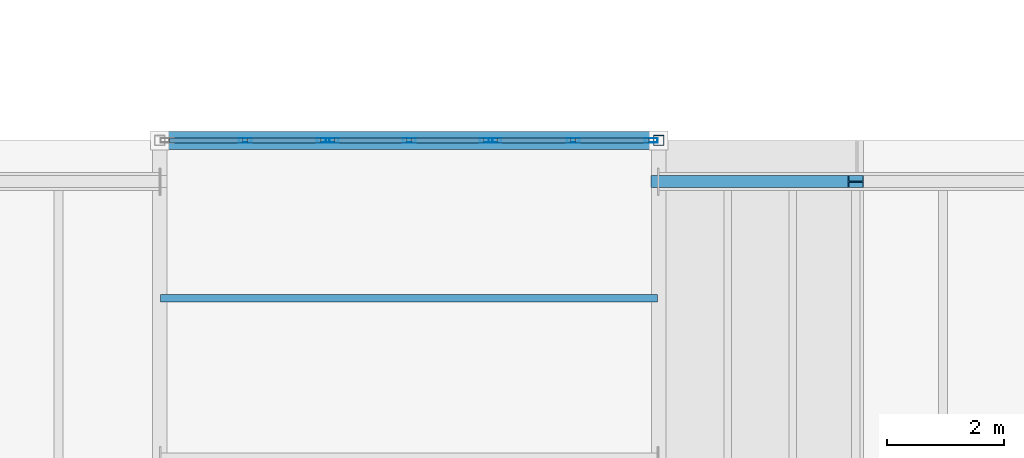
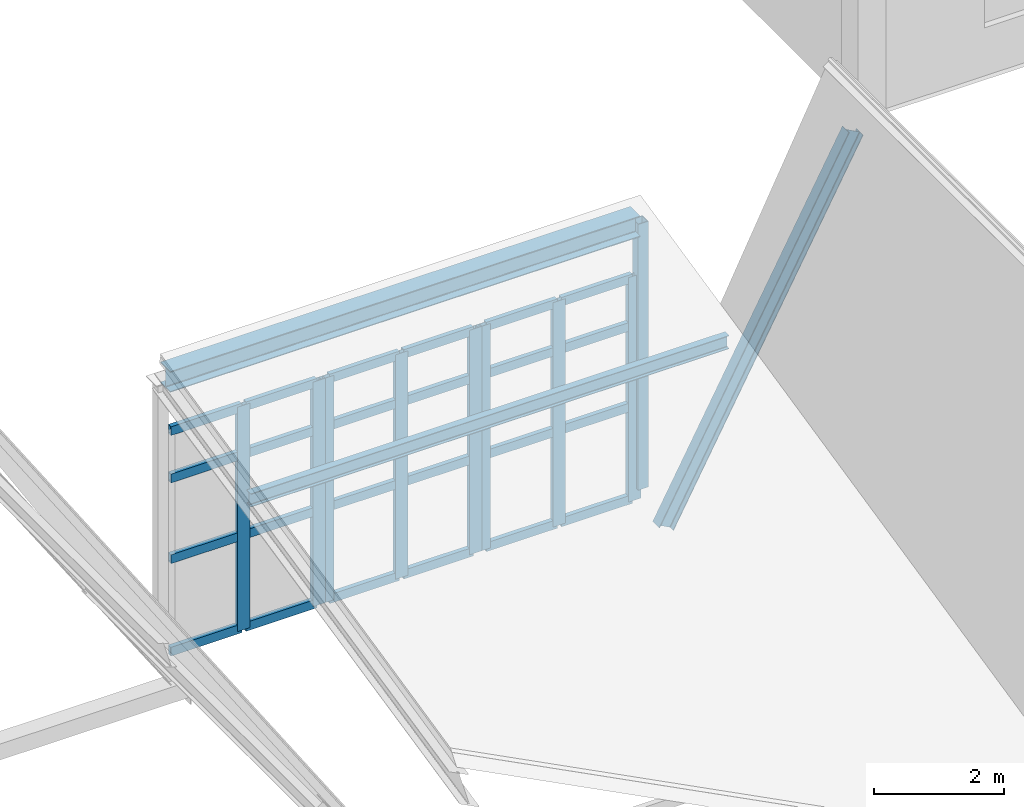
# One storey, part 25 of 77: 35 members, 1 beam, 3 elements without a shape of their own.
"""IFC4 building model written with IfcOpenShell, lengths in metres."""

import ifcopenshell
import ifcopenshell.guid

model = None  # the IFC model being written
_history = None  # IfcOwnerHistory: only IFC2X3 demands one
_inside = {}  # id of a spatial element -> (the spatial element, [elements in it])
_under = {}  # id of a project, library or spatial element -> (it, [spatial elements below it])
_declared = {}  # id of a project -> (the project, [libraries it declares])
_typed = {}  # id of a type object -> (the type object, [elements of that type])
_made_of = {}  # id of a material, layer set ... -> (it, [elements and type objects made of it])


def new_model(schema):
    """Start an empty IFC model of exactly this schema.

    Asked for "IFC4X3", IfcOpenShell would pick the latest addendum, in which some entities
    have other attributes; the version numbers below select the first issue.
    IFC2X3 requires an IfcOwnerHistory on every rooted entity: one is made here for all.
    """
    global model, _history
    if schema == "IFC4X3":
        model = ifcopenshell.file(schema_version=(4, 3, 0, 0))
    else:
        model = ifcopenshell.file(schema=schema)
    _inside.clear()
    _under.clear()
    _declared.clear()
    _typed.clear()
    _made_of.clear()
    _history = None
    if model.schema == "IFC2X3":
        org = make("IfcOrganization", Name="unknown")
        user = make(
            "IfcPersonAndOrganization",
            ThePerson=make("IfcPerson", FamilyName="unknown"),
            TheOrganization=org,
        )
        app = make(
            "IfcApplication",
            ApplicationDeveloper=org,
            Version="unknown",
            ApplicationFullName="unknown",
            ApplicationIdentifier="unknown",
        )
        _history = make(
            "IfcOwnerHistory",
            OwningUser=user,
            OwningApplication=app,
            ChangeAction="ADDED",
            CreationDate=0,
        )
    return model


def make(cls, **values):
    """One entity of the class cls with the attributes given. An attribute that is None is left unset."""
    return model.create_entity(
        cls, **{name: value for name, value in values.items() if value is not None}
    )


def rooted(cls, **values):
    """An entity with a GlobalId (a new one), such as an element, a storey or a relation."""
    return make(cls, GlobalId=ifcopenshell.guid.new(), OwnerHistory=_history, **values)


def si_unit(unit_type, name, prefix=None):
    """IfcSIUnit, for example si_unit("LENGTHUNIT", "METRE", prefix="MILLI")."""
    return make("IfcSIUnit", UnitType=unit_type, Prefix=prefix, Name=name)


def assignment(units):
    """IfcUnitAssignment: the units of a project."""
    return None if units is None else make("IfcUnitAssignment", Units=units)


def point(xyz):
    """IfcCartesianPoint."""
    return None if xyz is None else make("IfcCartesianPoint", Coordinates=xyz)


def direction(xyz):
    """IfcDirection."""
    return None if xyz is None else make("IfcDirection", DirectionRatios=xyz)


def frame(location, z_axis=None, x_axis=None):
    """IfcAxis2Placement3D, a coordinate frame: its origin and axes. An axis left out is left unset."""
    return make(
        "IfcAxis2Placement3D",
        Location=point(location),
        Axis=direction(z_axis),
        RefDirection=direction(x_axis),
    )


def frame_2d(location, x_axis=None):
    """IfcAxis2Placement2D, a coordinate frame in the plane: its origin and x axis."""
    return make(
        "IfcAxis2Placement2D", Location=point(location), RefDirection=direction(x_axis)
    )


def origin():
    """The frame at (0, 0, 0) with its axes left unset."""
    return frame((0.0, 0.0, 0.0))


def origin_2d():
    """The frame at (0, 0) in the plane with its x axis left unset."""
    return frame_2d((0.0, 0.0))


def place(relative_to, where):
    """IfcLocalPlacement: puts the frame where relative to a parent placement (None: the world)."""
    return make(
        "IfcLocalPlacement", PlacementRelTo=relative_to, RelativePlacement=where
    )


def context(
    kind, dimensions, precision=None, world=None, true_north=None, identifier=None
):
    """IfcGeometricRepresentationContext, for example the 3D "Model" context."""
    return make(
        "IfcGeometricRepresentationContext",
        ContextIdentifier=identifier,
        ContextType=kind,
        CoordinateSpaceDimension=dimensions,
        Precision=precision,
        WorldCoordinateSystem=world,
        TrueNorth=true_north,
    )


def subcontext(parent, identifier, kind, view, scale=None):
    """IfcGeometricRepresentationSubContext, for example "Body" below "Model"."""
    return make(
        "IfcGeometricRepresentationSubContext",
        ContextIdentifier=identifier,
        ContextType=kind,
        ParentContext=parent,
        TargetScale=scale,
        TargetView=view,
    )


def project(units=None, contexts=None):
    """IfcProject with its units and contexts."""
    return rooted(
        "IfcProject",
        Name="project",
        RepresentationContexts=contexts,
        UnitsInContext=assignment(units),
    )


def spatial(cls, under=None, at=None, **own):
    """A site, building, storey or space (cls), placed at a placement, below another one or the project."""
    s = rooted(cls, ObjectPlacement=at, **own)
    if under is not None:
        _under.setdefault(under.id(), (under, []))[1].append(s)
    return s


def profile(cls, at=None, kind="AREA", **sizes):
    """A parametric profile (cls). Its sizes go by their IFC names, for example OverallWidth=200.0."""
    return make(cls, ProfileType=kind, Position=at, **sizes)


def hollow_rectangle(**sizes):
    """IfcRectangleHollowProfileDef."""
    return profile("IfcRectangleHollowProfileDef", **sizes)


def i_section(**sizes):
    """IfcIShapeProfileDef."""
    return profile("IfcIShapeProfileDef", **sizes)


def extrude(swept, where, along, depth):
    """IfcExtrudedAreaSolid: the profile swept, set in the frame where, extruded along a direction by depth."""
    return make(
        "IfcExtrudedAreaSolid",
        SweptArea=swept,
        Position=where,
        ExtrudedDirection=direction(along),
        Depth=depth,
    )


def shape(context_of_items, identifier, shape_type, items):
    """IfcShapeRepresentation: the items that make up one representation, for example the "Body"."""
    return make(
        "IfcShapeRepresentation",
        ContextOfItems=context_of_items,
        RepresentationIdentifier=identifier,
        RepresentationType=shape_type,
        Items=items,
    )


def material(Name=None, Category=None):
    """IfcMaterial."""
    return make("IfcMaterial", Name=Name, Category=Category)


def material_profile(
    of_material, cross_section, Name=None, Category=None, Priority=None
):
    """IfcMaterialProfile: a cross section and its material."""
    return make(
        "IfcMaterialProfile",
        Name=Name,
        Material=of_material,
        Profile=cross_section,
        Priority=Priority,
        Category=Category,
    )


def profile_set(profiles, Name=None, composite=None):
    """IfcMaterialProfileSet."""
    return make(
        "IfcMaterialProfileSet",
        Name=Name,
        MaterialProfiles=profiles,
        CompositeProfile=composite,
    )


def made_of(thing, what):
    """Note that an element or type object is made of a material, layer set ...; save() writes the relation."""
    if what is not None:
        _made_of.setdefault(what.id(), (what, []))[1].append(thing)
    return thing


def type_object(cls, material=None, **own):
    """A type object (cls), such as IfcWallType, which elements share."""
    return made_of(rooted(cls, **own), material)


def element(
    cls,
    number,
    at=None,
    inside=None,
    cuts=None,
    type_object=None,
    material=None,
    context=None,
    identifier="Body",
    shape_type=None,
    held_by="IfcProductDefinitionShape",
    body=None,
    shapes=None,
    **own,
):
    """One element of the class cls, such as IfcWall. Its Tag is "e" and its number.

    at: its placement. inside: the storey or other place that contains it. cuts: it is an
    opening in that element (IfcRelVoidsElement). A single representation is given by context,
    identifier, shape_type and body (its items); several are given by shapes. held_by: the class
    of the entity that holds the representations. save() writes the other relations.
    """
    e = rooted(cls, Tag="e%d" % number, ObjectPlacement=at, **own)
    if body is not None:
        shapes = [shape(context, identifier, shape_type, body)]
    if shapes is not None:
        e.Representation = make(held_by, Representations=shapes)
    if inside is not None:
        _inside.setdefault(inside.id(), (inside, []))[1].append(e)
    if cuts is not None:
        rooted(
            "IfcRelVoidsElement", RelatingBuildingElement=cuts, RelatedOpeningElement=e
        )
    if type_object is not None:
        _typed.setdefault(type_object.id(), (type_object, []))[1].append(e)
    return made_of(e, material)


def aggregate(whole, parts):
    """IfcRelAggregates: a whole, such as a stair, and the parts it consists of."""
    return rooted("IfcRelAggregates", RelatingObject=whole, RelatedObjects=parts)


def save(model, path):
    """Write the relations noted so far, then the file.

    IfcRelAggregates (storeys below a building ...), IfcRelContainedInSpatialStructure (elements
    in a storey), IfcRelDefinesByType, IfcRelAssociatesMaterial and IfcRelDeclares: one each for
    every whole, place, type object, material and project.
    """
    for whole, parts in _under.values():
        aggregate(whole, parts)
    for where, things in _inside.values():
        rooted(
            "IfcRelContainedInSpatialStructure",
            RelatedElements=things,
            RelatingStructure=where,
        )
    for kind, things in _typed.values():
        rooted("IfcRelDefinesByType", RelatedObjects=things, RelatingType=kind)
    for what, things in _made_of.values():
        rooted("IfcRelAssociatesMaterial", RelatedObjects=things, RelatingMaterial=what)
    for by, libraries in _declared.values():
        rooted("IfcRelDeclares", RelatingContext=by, RelatedDefinitions=libraries)
    model.write(path)


model = new_model("IFC4")

# Units and contexts
model_context = context("Model", 3, precision=1e-05, world=origin(), true_north=direction((0.0, 1.0)))
body_context = subcontext(model_context, "Body", "Model", "MODEL_VIEW")
ifc_project = project(units=[si_unit("LENGTHUNIT", "METRE"), si_unit("AREAUNIT", "SQUARE_METRE"), si_unit("VOLUMEUNIT", "CUBIC_METRE"), si_unit("PLANEANGLEUNIT", "RADIAN"), si_unit("MASSUNIT", "GRAM", prefix="KILO"), si_unit("THERMODYNAMICTEMPERATUREUNIT", "KELVIN"), si_unit("POWERUNIT", "WATT")], contexts=[model_context])

# Site, building, storey
site_placement = place(None, origin())
site = spatial("IfcSite", under=ifc_project, at=site_placement, CompositionType="ELEMENT")
building_placement = place(site_placement, origin())
building = spatial("IfcBuilding", under=site, at=building_placement, Name="Zhenchuan Central Fire Station", CompositionType="ELEMENT")
storey_placement = place(building_placement, frame((0.0, 0.0, 10.050048828125)))
storey = spatial("IfcBuildingStorey", under=building, at=storey_placement, Name="L03", CompositionType="ELEMENT", Elevation=10.050048828125)

# Beam
ifc_material_1 = material(Name="Steel Q355B", Category="steel")
ifc_material_profile_1 = material_profile(ifc_material_1, i_section(OverallWidth=0.300048828125, OverallDepth=0.389892578125, WebThickness=0.010009765625, FlangeThickness=0.01611328125, FilletRadius=0.02001953125, at=origin_2d()), Name="HM 390x300")
ifc_profile_set_1 = profile_set([ifc_material_profile_1], Name="Steel Q355B")
beam_type = type_object("IfcBeamType", Name="BM-HM390-INT", PredefinedType="BEAM", material=ifc_profile_set_1)
beam_placement = place(storey_placement, frame((115.590087890625, 35.5, 4.977294921875), z_axis=(1.0, 0.0, 0.0), x_axis=(0.0, 1.0, 0.0)))
element("IfcBeam", 1, at=beam_placement, inside=storey, type_object=beam_type, Name="Pavilion H08 North-Light Ridge Girder", PredefinedType="BEAM", context=body_context, shape_type="SweptSolid", body=[
    extrude(i_section(OverallWidth=0.300048828125, OverallDepth=0.389892578125, WebThickness=0.010009765625, FlangeThickness=0.01611328125, FilletRadius=0.02001953125, at=origin_2d()), origin(), (0.0, 0.0, 1.0), 8.31982421875),
])

# Curtain wall, members
ifc_material_2 = material(Name="Anodised aluminium and low-E glazing", Category="aluminium")
curtain_wall_type_1 = type_object("IfcCurtainWallType", Name="CW-MOD-19", PredefinedType="USERDEFINED", material=ifc_material_2)
curtain_wall_1_placement = place(storey_placement, origin())
curtain_wall_1 = element("IfcCurtainWall", 2, at=curtain_wall_1_placement, inside=storey, type_object=curtain_wall_type_1, Name="L03 Unitised Curtain Wall 010", ObjectType="UNITISED GLAZING", PredefinedType="USERDEFINED")
ifc_material_3 = material(Name="Anodised aluminium EN AW-6063", Category="aluminium")
ifc_material_profile_2 = material_profile(ifc_material_3, hollow_rectangle(XDim=0.080078125, YDim=0.219970703125, WallThickness=0.005615234375, at=origin_2d()), Name="ALU-M 220x80")
ifc_profile_set_2 = profile_set([ifc_material_profile_2], Name="Anodised aluminium EN AW-6063")
member_type_1 = type_object("IfcMemberType", Name="CW-MUL200", PredefinedType="MULLION", material=ifc_profile_set_2)
member_1_placement = place(storey_placement, frame((116.956298828125, 35.5, -0.2041015625), z_axis=(0.0, 0.0, 1.0), x_axis=(0.0, 1.0, 0.0)))
member_1 = element("IfcMember", 3, at=member_1_placement, type_object=member_type_1, Name="CW-19 mullion 2", PredefinedType="MULLION", context=body_context, shape_type="SweptSolid", body=[
    extrude(hollow_rectangle(XDim=0.080078125, YDim=0.219970703125, WallThickness=0.005615234375, at=origin_2d()), origin(), (0.0, 0.0, 1.0), 4.2041015625),
])
member_2_placement = place(storey_placement, frame((118.287109375, 35.5, -0.2041015625), z_axis=(0.0, 0.0, 1.0), x_axis=(0.0, 1.0, 0.0)))
member_2 = element("IfcMember", 4, at=member_2_placement, type_object=member_type_1, Name="CW-19 mullion 3", PredefinedType="MULLION", context=body_context, shape_type="SweptSolid", body=[
    extrude(hollow_rectangle(XDim=0.080078125, YDim=0.219970703125, WallThickness=0.005615234375, at=origin_2d()), origin(), (0.0, 0.0, 1.0), 4.2041015625),
])

curtain_wall_type_2 = type_object("IfcCurtainWallType", Name="CW-MOD-20", PredefinedType="USERDEFINED", material=ifc_material_2)
curtain_wall_2_placement = place(storey_placement, origin())
curtain_wall_2 = element("IfcCurtainWall", 5, at=curtain_wall_2_placement, inside=storey, type_object=curtain_wall_type_2, Name="L03 Unitised Curtain Wall 011", ObjectType="UNITISED GLAZING", PredefinedType="USERDEFINED")
member_3_placement = place(storey_placement, frame((118.438232421875, 35.5, -0.2041015625), z_axis=(0.0, 0.0, 1.0), x_axis=(0.0, 1.0, 0.0)))
member_3 = element("IfcMember", 6, at=member_3_placement, type_object=member_type_1, Name="CW-20 mullion 1", PredefinedType="MULLION", context=body_context, shape_type="SweptSolid", body=[
    extrude(hollow_rectangle(XDim=0.080078125, YDim=0.219970703125, WallThickness=0.005615234375, at=origin_2d()), origin(), (0.0, 0.0, 1.0), 4.2041015625),
])
member_4_placement = place(storey_placement, frame((119.75, 35.5, -0.2041015625), z_axis=(0.0, 0.0, 1.0), x_axis=(0.0, 1.0, 0.0)))
member_4 = element("IfcMember", 7, at=member_4_placement, type_object=member_type_1, Name="CW-20 mullion 2", PredefinedType="MULLION", context=body_context, shape_type="SweptSolid", body=[
    extrude(hollow_rectangle(XDim=0.080078125, YDim=0.219970703125, WallThickness=0.005615234375, at=origin_2d()), origin(), (0.0, 0.0, 1.0), 4.2041015625),
])
member_5_placement = place(storey_placement, frame((121.061767578125, 35.5, -0.2041015625), z_axis=(0.0, 0.0, 1.0), x_axis=(0.0, 1.0, 0.0)))
member_5 = element("IfcMember", 8, at=member_5_placement, type_object=member_type_1, Name="CW-20 mullion 3", PredefinedType="MULLION", context=body_context, shape_type="SweptSolid", body=[
    extrude(hollow_rectangle(XDim=0.080078125, YDim=0.219970703125, WallThickness=0.005615234375, at=origin_2d()), origin(), (0.0, 0.0, 1.0), 4.2041015625),
])

curtain_wall_type_3 = type_object("IfcCurtainWallType", Name="CW-MOD-21", PredefinedType="USERDEFINED", material=ifc_material_2)
curtain_wall_3_placement = place(storey_placement, origin())
curtain_wall_3 = element("IfcCurtainWall", 9, at=curtain_wall_3_placement, inside=storey, type_object=curtain_wall_type_3, Name="L03 Unitised Curtain Wall 012", ObjectType="UNITISED GLAZING", PredefinedType="USERDEFINED")
member_6_placement = place(storey_placement, frame((121.212890625, 35.5, -0.2041015625), z_axis=(0.0, 0.0, 1.0), x_axis=(0.0, 1.0, 0.0)))
member_6 = element("IfcMember", 10, at=member_6_placement, type_object=member_type_1, Name="CW-21 mullion 1", PredefinedType="MULLION", context=body_context, shape_type="SweptSolid", body=[
    extrude(hollow_rectangle(XDim=0.080078125, YDim=0.219970703125, WallThickness=0.005615234375, at=origin_2d()), origin(), (0.0, 0.0, 1.0), 4.2041015625),
])
member_7_placement = place(storey_placement, frame((122.543701171875, 35.5, -0.2041015625), z_axis=(0.0, 0.0, 1.0), x_axis=(0.0, 1.0, 0.0)))
member_7 = element("IfcMember", 11, at=member_7_placement, type_object=member_type_1, Name="CW-21 mullion 2", PredefinedType="MULLION", context=body_context, shape_type="SweptSolid", body=[
    extrude(hollow_rectangle(XDim=0.080078125, YDim=0.219970703125, WallThickness=0.005615234375, at=origin_2d()), origin(), (0.0, 0.0, 1.0), 4.2041015625),
])
member_8_placement = place(storey_placement, frame((123.87451171875, 35.5, -0.2041015625), z_axis=(0.0, 0.0, 1.0), x_axis=(0.0, 1.0, 0.0)))
member_8 = element("IfcMember", 12, at=member_8_placement, type_object=member_type_1, Name="CW-21 mullion 3", PredefinedType="MULLION", context=body_context, shape_type="SweptSolid", body=[
    extrude(hollow_rectangle(XDim=0.080078125, YDim=0.219970703125, WallThickness=0.005615234375, at=origin_2d()), origin(), (0.0, 0.0, 1.0), 4.2041015625),
])

# Member
ifc_material_profile_3 = material_profile(ifc_material_3, hollow_rectangle(XDim=0.080078125, YDim=0.1650390625, WallThickness=0.0048828125, at=origin_2d()), Name="ALU-T 165x80")
ifc_profile_set_3 = profile_set([ifc_material_profile_3], Name="Anodised aluminium EN AW-6063")
member_type_2 = type_object("IfcMemberType", Name="CW-TRN150", PredefinedType="NOTDEFINED", material=ifc_profile_set_3)
member_9_placement = place(storey_placement, frame((115.6630859375, 35.5, -0.16650390625), z_axis=(1.0, 0.0, 0.0), x_axis=(0.0, 1.0, 0.0)))
member_9 = element("IfcMember", 13, at=member_9_placement, type_object=member_type_2, Name="CW-19 transom 1.1", ObjectType="TRANSOM", PredefinedType="USERDEFINED", context=body_context, shape_type="SweptSolid", body=[
    extrude(hollow_rectangle(XDim=0.080078125, YDim=0.1650390625, WallThickness=0.0048828125, at=origin_2d()), origin(), (0.0, 0.0, 1.0), 1.255859375),
])

member_10_placement = place(storey_placement, frame((115.6630859375, 35.5, 1.56396484375), z_axis=(1.0, 0.0, 0.0), x_axis=(0.0, 1.0, 0.0)))
member_10 = element("IfcMember", 14, at=member_10_placement, type_object=member_type_2, Name="CW-19 transom 1.2", ObjectType="TRANSOM", PredefinedType="USERDEFINED", context=body_context, shape_type="SweptSolid", body=[
    extrude(hollow_rectangle(XDim=0.080078125, YDim=0.1650390625, WallThickness=0.0048828125, at=origin_2d()), origin(), (0.0, 0.0, 1.0), 1.255859375),
])

member_11_placement = place(storey_placement, frame((115.6630859375, 35.5, 3.075927734375), z_axis=(1.0, 0.0, 0.0), x_axis=(0.0, 1.0, 0.0)))
member_11 = element("IfcMember", 15, at=member_11_placement, type_object=member_type_2, Name="CW-19 transom 1.3", ObjectType="TRANSOM", PredefinedType="USERDEFINED", context=body_context, shape_type="SweptSolid", body=[
    extrude(hollow_rectangle(XDim=0.080078125, YDim=0.1650390625, WallThickness=0.0048828125, at=origin_2d()), origin(), (0.0, 0.0, 1.0), 1.255859375),
])

member_12_placement = place(storey_placement, frame((115.6630859375, 35.5, 3.96240234375), z_axis=(1.0, 0.0, 0.0), x_axis=(0.0, 1.0, 0.0)))
member_12 = element("IfcMember", 16, at=member_12_placement, type_object=member_type_2, Name="CW-19 transom 1.4", ObjectType="TRANSOM", PredefinedType="USERDEFINED", context=body_context, shape_type="SweptSolid", body=[
    extrude(hollow_rectangle(XDim=0.080078125, YDim=0.1650390625, WallThickness=0.0048828125, at=origin_2d()), origin(), (0.0, 0.0, 1.0), 1.255859375),
])

member_13_placement = place(storey_placement, frame((116.993896484375, 35.5, -0.16650390625), z_axis=(1.0, 0.0, 0.0), x_axis=(0.0, 1.0, 0.0)))
member_13 = element("IfcMember", 17, at=member_13_placement, type_object=member_type_2, Name="CW-19 transom 2.1", ObjectType="TRANSOM", PredefinedType="USERDEFINED", context=body_context, shape_type="SweptSolid", body=[
    extrude(hollow_rectangle(XDim=0.080078125, YDim=0.1650390625, WallThickness=0.0048828125, at=origin_2d()), origin(), (0.0, 0.0, 1.0), 1.255859375),
])

member_14_placement = place(storey_placement, frame((116.993896484375, 35.5, 1.56396484375), z_axis=(1.0, 0.0, 0.0), x_axis=(0.0, 1.0, 0.0)))
member_14 = element("IfcMember", 18, at=member_14_placement, type_object=member_type_2, Name="CW-19 transom 2.2", ObjectType="TRANSOM", PredefinedType="USERDEFINED", context=body_context, shape_type="SweptSolid", body=[
    extrude(hollow_rectangle(XDim=0.080078125, YDim=0.1650390625, WallThickness=0.0048828125, at=origin_2d()), origin(), (0.0, 0.0, 1.0), 1.255859375),
])

member_15_placement = place(storey_placement, frame((116.993896484375, 35.5, 3.075927734375), z_axis=(1.0, 0.0, 0.0), x_axis=(0.0, 1.0, 0.0)))
member_15 = element("IfcMember", 19, at=member_15_placement, type_object=member_type_2, Name="CW-19 transom 2.3", ObjectType="TRANSOM", PredefinedType="USERDEFINED", context=body_context, shape_type="SweptSolid", body=[
    extrude(hollow_rectangle(XDim=0.080078125, YDim=0.1650390625, WallThickness=0.0048828125, at=origin_2d()), origin(), (0.0, 0.0, 1.0), 1.255859375),
])

member_16_placement = place(storey_placement, frame((116.993896484375, 35.5, 3.96240234375), z_axis=(1.0, 0.0, 0.0), x_axis=(0.0, 1.0, 0.0)))
member_16 = element("IfcMember", 20, at=member_16_placement, type_object=member_type_2, Name="CW-19 transom 2.4", ObjectType="TRANSOM", PredefinedType="USERDEFINED", context=body_context, shape_type="SweptSolid", body=[
    extrude(hollow_rectangle(XDim=0.080078125, YDim=0.1650390625, WallThickness=0.0048828125, at=origin_2d()), origin(), (0.0, 0.0, 1.0), 1.255859375),
])

aggregate(curtain_wall_1, [member_1, member_2, member_9, member_10, member_11, member_12, member_13, member_14, member_15, member_16])

member_17_placement = place(storey_placement, frame((118.4755859375, 35.5, -0.16650390625), z_axis=(1.0, 0.0, 0.0), x_axis=(0.0, 1.0, 0.0)))
member_17 = element("IfcMember", 21, at=member_17_placement, type_object=member_type_2, Name="CW-20 transom 1.1", ObjectType="TRANSOM", PredefinedType="USERDEFINED", context=body_context, shape_type="SweptSolid", body=[
    extrude(hollow_rectangle(XDim=0.080078125, YDim=0.1650390625, WallThickness=0.0048828125, at=origin_2d()), origin(), (0.0, 0.0, 1.0), 1.23681640625),
])

member_18_placement = place(storey_placement, frame((118.4755859375, 35.5, 1.56396484375), z_axis=(1.0, 0.0, 0.0), x_axis=(0.0, 1.0, 0.0)))
member_18 = element("IfcMember", 22, at=member_18_placement, type_object=member_type_2, Name="CW-20 transom 1.2", ObjectType="TRANSOM", PredefinedType="USERDEFINED", context=body_context, shape_type="SweptSolid", body=[
    extrude(hollow_rectangle(XDim=0.080078125, YDim=0.1650390625, WallThickness=0.0048828125, at=origin_2d()), origin(), (0.0, 0.0, 1.0), 1.23681640625),
])

member_19_placement = place(storey_placement, frame((118.4755859375, 35.5, 3.075927734375), z_axis=(1.0, 0.0, 0.0), x_axis=(0.0, 1.0, 0.0)))
member_19 = element("IfcMember", 23, at=member_19_placement, type_object=member_type_2, Name="CW-20 transom 1.3", ObjectType="TRANSOM", PredefinedType="USERDEFINED", context=body_context, shape_type="SweptSolid", body=[
    extrude(hollow_rectangle(XDim=0.080078125, YDim=0.1650390625, WallThickness=0.0048828125, at=origin_2d()), origin(), (0.0, 0.0, 1.0), 1.23681640625),
])

member_20_placement = place(storey_placement, frame((118.4755859375, 35.5, 3.96240234375), z_axis=(1.0, 0.0, 0.0), x_axis=(0.0, 1.0, 0.0)))
member_20 = element("IfcMember", 24, at=member_20_placement, type_object=member_type_2, Name="CW-20 transom 1.4", ObjectType="TRANSOM", PredefinedType="USERDEFINED", context=body_context, shape_type="SweptSolid", body=[
    extrude(hollow_rectangle(XDim=0.080078125, YDim=0.1650390625, WallThickness=0.0048828125, at=origin_2d()), origin(), (0.0, 0.0, 1.0), 1.23681640625),
])

member_21_placement = place(storey_placement, frame((119.78759765625, 35.5, -0.16650390625), z_axis=(1.0, 0.0, 0.0), x_axis=(0.0, 1.0, 0.0)))
member_21 = element("IfcMember", 25, at=member_21_placement, type_object=member_type_2, Name="CW-20 transom 2.1", ObjectType="TRANSOM", PredefinedType="USERDEFINED", context=body_context, shape_type="SweptSolid", body=[
    extrude(hollow_rectangle(XDim=0.080078125, YDim=0.1650390625, WallThickness=0.0048828125, at=origin_2d()), origin(), (0.0, 0.0, 1.0), 1.23681640625),
])

member_22_placement = place(storey_placement, frame((119.78759765625, 35.5, 1.56396484375), z_axis=(1.0, 0.0, 0.0), x_axis=(0.0, 1.0, 0.0)))
member_22 = element("IfcMember", 26, at=member_22_placement, type_object=member_type_2, Name="CW-20 transom 2.2", ObjectType="TRANSOM", PredefinedType="USERDEFINED", context=body_context, shape_type="SweptSolid", body=[
    extrude(hollow_rectangle(XDim=0.080078125, YDim=0.1650390625, WallThickness=0.0048828125, at=origin_2d()), origin(), (0.0, 0.0, 1.0), 1.23681640625),
])

member_23_placement = place(storey_placement, frame((119.78759765625, 35.5, 3.075927734375), z_axis=(1.0, 0.0, 0.0), x_axis=(0.0, 1.0, 0.0)))
member_23 = element("IfcMember", 27, at=member_23_placement, type_object=member_type_2, Name="CW-20 transom 2.3", ObjectType="TRANSOM", PredefinedType="USERDEFINED", context=body_context, shape_type="SweptSolid", body=[
    extrude(hollow_rectangle(XDim=0.080078125, YDim=0.1650390625, WallThickness=0.0048828125, at=origin_2d()), origin(), (0.0, 0.0, 1.0), 1.23681640625),
])

member_24_placement = place(storey_placement, frame((119.78759765625, 35.5, 3.96240234375), z_axis=(1.0, 0.0, 0.0), x_axis=(0.0, 1.0, 0.0)))
member_24 = element("IfcMember", 28, at=member_24_placement, type_object=member_type_2, Name="CW-20 transom 2.4", ObjectType="TRANSOM", PredefinedType="USERDEFINED", context=body_context, shape_type="SweptSolid", body=[
    extrude(hollow_rectangle(XDim=0.080078125, YDim=0.1650390625, WallThickness=0.0048828125, at=origin_2d()), origin(), (0.0, 0.0, 1.0), 1.23681640625),
])

aggregate(curtain_wall_2, [member_3, member_4, member_5, member_17, member_18, member_19, member_20, member_21, member_22, member_23, member_24])

member_25_placement = place(storey_placement, frame((121.250244140625, 35.5, -0.16650390625), z_axis=(1.0, 0.0, 0.0), x_axis=(0.0, 1.0, 0.0)))
member_25 = element("IfcMember", 29, at=member_25_placement, type_object=member_type_2, Name="CW-21 transom 1.1", ObjectType="TRANSOM", PredefinedType="USERDEFINED", context=body_context, shape_type="SweptSolid", body=[
    extrude(hollow_rectangle(XDim=0.080078125, YDim=0.1650390625, WallThickness=0.0048828125, at=origin_2d()), origin(), (0.0, 0.0, 1.0), 1.255859375),
])

member_26_placement = place(storey_placement, frame((121.250244140625, 35.5, 1.56396484375), z_axis=(1.0, 0.0, 0.0), x_axis=(0.0, 1.0, 0.0)))
member_26 = element("IfcMember", 30, at=member_26_placement, type_object=member_type_2, Name="CW-21 transom 1.2", ObjectType="TRANSOM", PredefinedType="USERDEFINED", context=body_context, shape_type="SweptSolid", body=[
    extrude(hollow_rectangle(XDim=0.080078125, YDim=0.1650390625, WallThickness=0.0048828125, at=origin_2d()), origin(), (0.0, 0.0, 1.0), 1.255859375),
])

member_27_placement = place(storey_placement, frame((121.250244140625, 35.5, 3.075927734375), z_axis=(1.0, 0.0, 0.0), x_axis=(0.0, 1.0, 0.0)))
member_27 = element("IfcMember", 31, at=member_27_placement, type_object=member_type_2, Name="CW-21 transom 1.3", ObjectType="TRANSOM", PredefinedType="USERDEFINED", context=body_context, shape_type="SweptSolid", body=[
    extrude(hollow_rectangle(XDim=0.080078125, YDim=0.1650390625, WallThickness=0.0048828125, at=origin_2d()), origin(), (0.0, 0.0, 1.0), 1.255859375),
])

member_28_placement = place(storey_placement, frame((121.250244140625, 35.5, 3.96240234375), z_axis=(1.0, 0.0, 0.0), x_axis=(0.0, 1.0, 0.0)))
member_28 = element("IfcMember", 32, at=member_28_placement, type_object=member_type_2, Name="CW-21 transom 1.4", ObjectType="TRANSOM", PredefinedType="USERDEFINED", context=body_context, shape_type="SweptSolid", body=[
    extrude(hollow_rectangle(XDim=0.080078125, YDim=0.1650390625, WallThickness=0.0048828125, at=origin_2d()), origin(), (0.0, 0.0, 1.0), 1.255859375),
])

member_29_placement = place(storey_placement, frame((122.5810546875, 35.5, -0.16650390625), z_axis=(1.0, 0.0, 0.0), x_axis=(0.0, 1.0, 0.0)))
member_29 = element("IfcMember", 33, at=member_29_placement, type_object=member_type_2, Name="CW-21 transom 2.1", ObjectType="TRANSOM", PredefinedType="USERDEFINED", context=body_context, shape_type="SweptSolid", body=[
    extrude(hollow_rectangle(XDim=0.080078125, YDim=0.1650390625, WallThickness=0.0048828125, at=origin_2d()), origin(), (0.0, 0.0, 1.0), 1.255859375),
])

member_30_placement = place(storey_placement, frame((122.5810546875, 35.5, 1.56396484375), z_axis=(1.0, 0.0, 0.0), x_axis=(0.0, 1.0, 0.0)))
member_30 = element("IfcMember", 34, at=member_30_placement, type_object=member_type_2, Name="CW-21 transom 2.2", ObjectType="TRANSOM", PredefinedType="USERDEFINED", context=body_context, shape_type="SweptSolid", body=[
    extrude(hollow_rectangle(XDim=0.080078125, YDim=0.1650390625, WallThickness=0.0048828125, at=origin_2d()), origin(), (0.0, 0.0, 1.0), 1.255859375),
])

member_31_placement = place(storey_placement, frame((122.5810546875, 35.5, 3.075927734375), z_axis=(1.0, 0.0, 0.0), x_axis=(0.0, 1.0, 0.0)))
member_31 = element("IfcMember", 35, at=member_31_placement, type_object=member_type_2, Name="CW-21 transom 2.3", ObjectType="TRANSOM", PredefinedType="USERDEFINED", context=body_context, shape_type="SweptSolid", body=[
    extrude(hollow_rectangle(XDim=0.080078125, YDim=0.1650390625, WallThickness=0.0048828125, at=origin_2d()), origin(), (0.0, 0.0, 1.0), 1.255859375),
])

member_32_placement = place(storey_placement, frame((122.5810546875, 35.5, 3.96240234375), z_axis=(1.0, 0.0, 0.0), x_axis=(0.0, 1.0, 0.0)))
member_32 = element("IfcMember", 36, at=member_32_placement, type_object=member_type_2, Name="CW-21 transom 2.4", ObjectType="TRANSOM", PredefinedType="USERDEFINED", context=body_context, shape_type="SweptSolid", body=[
    extrude(hollow_rectangle(XDim=0.080078125, YDim=0.1650390625, WallThickness=0.0048828125, at=origin_2d()), origin(), (0.0, 0.0, 1.0), 1.255859375),
])

aggregate(curtain_wall_3, [member_6, member_7, member_8, member_25, member_26, member_27, member_28, member_29, member_30, member_31, member_32])

# Members
ifc_material_profile_4 = material_profile(ifc_material_1, i_section(OverallWidth=0.125, OverallDepth=0.25, WebThickness=0.006103515625, FlangeThickness=0.009033203125, FilletRadius=0.011962890625, at=origin_2d()), Name="HN 250x125")
ifc_profile_set_4 = profile_set([ifc_material_profile_4], Name="Steel Q355B")
member_type_3 = type_object("IfcMemberType", Name="MB-PR-HN250", PredefinedType="PURLIN", material=ifc_profile_set_4)
member_33_placement = place(storey_placement, frame((115.514892578125, 32.81103515625, 4.36083984375), z_axis=(1.0, 0.0, 0.0), x_axis=(0.0, 1.0, 0.0)))
element("IfcMember", 37, at=member_33_placement, inside=storey, type_object=member_type_3, Name="Pavilion H08 Roof Purlin 8", PredefinedType="PURLIN", context=body_context, shape_type="SweptSolid", body=[
    extrude(i_section(OverallWidth=0.125, OverallDepth=0.25, WebThickness=0.006103515625, FlangeThickness=0.009033203125, FilletRadius=0.011962890625, at=origin_2d()), origin(), (0.0, 0.0, 1.0), 8.47021484375),
])
ifc_material_profile_5 = material_profile(ifc_material_1, hollow_rectangle(XDim=0.179931640625, YDim=0.179931640625, WallThickness=0.010009765625, at=origin_2d()), Name="SHS 180x180x10")
ifc_profile_set_5 = profile_set([ifc_material_profile_5], Name="Steel Q355B")
member_type_4 = type_object("IfcMemberType", Name="MB-PS-SHS180", PredefinedType="POST", material=ifc_profile_set_5)
member_34_placement = place(storey_placement, frame((124.0, 35.5, 0.0), z_axis=(0.0, 0.0, 1.0), x_axis=(1.0, 0.0, 0.0)))
element("IfcMember", 38, at=member_34_placement, inside=storey, type_object=member_type_4, Name="Pavilion H08 North-Light Truss Post 2", PredefinedType="POST", context=body_context, shape_type="SweptSolid", body=[
    extrude(hollow_rectangle(XDim=0.179931640625, YDim=0.179931640625, WallThickness=0.010009765625, at=origin_2d()), origin(), (0.0, 0.0, 1.0), 4.977294921875),
])
ifc_material_profile_6 = material_profile(ifc_material_1, i_section(OverallWidth=0.199951171875, OverallDepth=0.2939453125, WebThickness=0.008056640625, FlangeThickness=0.011962890625, FilletRadius=0.01611328125, at=origin_2d()), Name="HM 294x200")
ifc_profile_set_6 = profile_set([ifc_material_profile_6], Name="Steel Q355B")
member_type_5 = type_object("IfcMemberType", Name="MB-RF-HM294", PredefinedType="RAFTER", material=ifc_profile_set_6)
member_35_placement = place(storey_placement, frame((124.0, 34.800048828125, -0.330078125), z_axis=(0.474832085086, 0.0, 0.880076412008), x_axis=(0.0, 1.0, 0.0)))
element("IfcMember", 39, at=member_35_placement, inside=storey, type_object=member_type_5, Name="Pavilion H09 West Gable Rafter 4", PredefinedType="RAFTER", context=body_context, shape_type="SweptSolid", body=[
    extrude(i_section(OverallWidth=0.199951171875, OverallDepth=0.2939453125, WebThickness=0.008056640625, FlangeThickness=0.011962890625, FilletRadius=0.01611328125, at=origin_2d()), origin(), (0.0, 0.0, 1.0), 7.076416015625),
])

save(model, "model.ifc")
